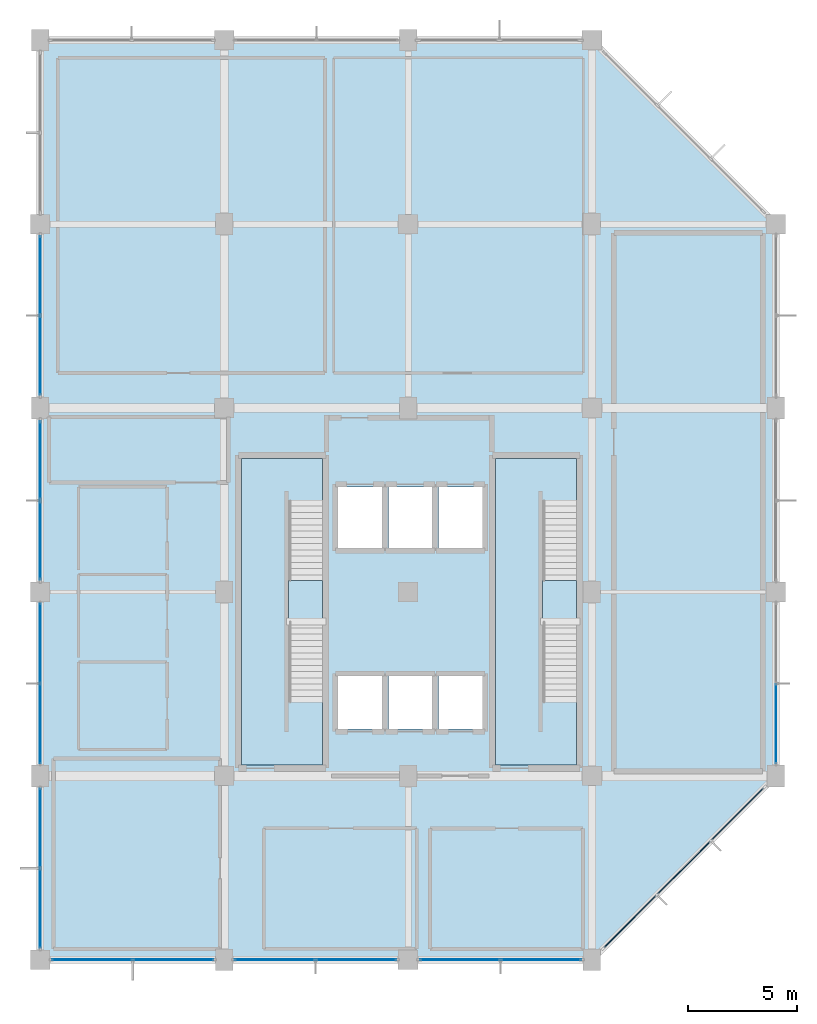
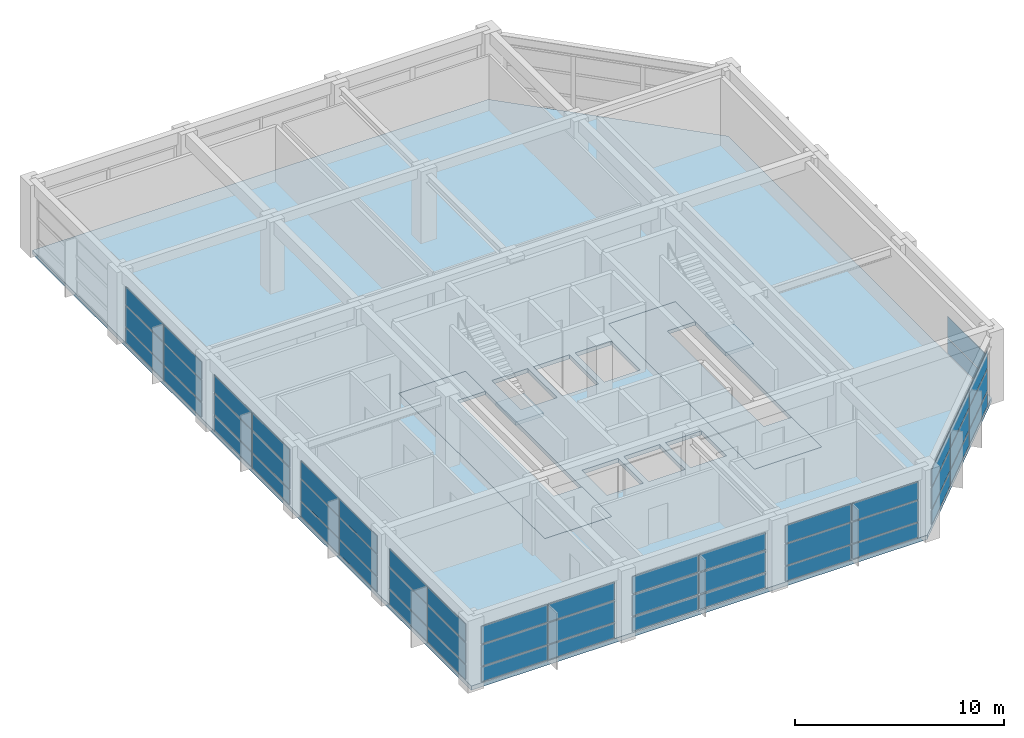
# One storey, part 8 of 12: 53 plates, 5 slabs, 11 elements without a shape of their own.
"""IFC4 building model written with IfcOpenShell, lengths in metres."""

from ifc_helpers import new_model, si_unit, direction, frame, origin, origin_2d, place, context, subcontext, project, spatial, polyline, rectangle, outline, extrude, material, layer, layer_set, type_object, element, aggregate, save


model = new_model("IFC4")

# Units and contexts
model_context = context("Model", 3, precision=1e-05, world=origin(), true_north=direction((0.0, 1.0)))
body_context = subcontext(model_context, "Body", "Model", "MODEL_VIEW")
ifc_project = project(units=[si_unit("LENGTHUNIT", "METRE"), si_unit("AREAUNIT", "SQUARE_METRE"), si_unit("VOLUMEUNIT", "CUBIC_METRE"), si_unit("PLANEANGLEUNIT", "RADIAN"), si_unit("MASSUNIT", "GRAM", prefix="KILO")], contexts=[model_context])

# Site, building, storey
site_placement = place(None, origin())
site = spatial("IfcSite", under=ifc_project, at=site_placement, CompositionType="ELEMENT")
building_placement = place(site_placement, origin())
building = spatial("IfcBuilding", under=site, at=building_placement, Name="Xuanlan Plaza Opera House", CompositionType="ELEMENT")
storey_placement = place(building_placement, frame((0.0, 0.0, 61.5)))
storey = spatial("IfcBuildingStorey", under=building, at=storey_placement, Name="L14", CompositionType="ELEMENT", Elevation=61.5)

# Curtain wall, plates
ifc_material_1 = material(Name="Anodised Aluminium 6063-T6 and Low-E Glass", Category="aluminium")
curtain_wall_type_1 = type_object("IfcCurtainWallType", Name="ENV-CW-CW-01", PredefinedType="USERDEFINED", material=ifc_material_1)
curtain_wall_1_placement = place(storey_placement, origin())
curtain_wall_1 = element("IfcCurtainWall", 1, at=curtain_wall_1_placement, inside=storey, type_object=curtain_wall_type_1, Name="Unitised Curtain Wall L14-005", ObjectType="UNITISED CURTAIN WALL", PredefinedType="USERDEFINED")
ifc_material_2 = material(Name="Laminated Acoustic Double Glazing", Category="glass")
ifc_layer_1 = layer(ifc_material_2, 0.028076171875)
ifc_layer_set_1 = layer_set([ifc_layer_1], Name="Laminated Acoustic Double Glazing")
plate_type_1 = type_object("IfcPlateType", Name="ENV-CWP-01", PredefinedType="CURTAIN_PANEL", material=ifc_layer_set_1)
plate_1_placement = place(storey_placement, frame((159.60009765625, 52.788818359375, 0.06494140625), z_axis=(0.0, 0.0, 1.0), x_axis=(0.0, 1.0, 0.0)))
plate_1 = element("IfcPlate", 2, at=plate_1_placement, type_object=plate_type_1, Name="CW-01 panel 1.1", PredefinedType="CURTAIN_PANEL", context=body_context, shape_type="SweptSolid", body=[
    extrude(rectangle(XDim=3.607421875, YDim=0.028076171875, at=origin_2d()), origin(), (0.0, 0.0, 1.0), 0.8525390625),
])
plate_2_placement = place(storey_placement, frame((159.60009765625, 52.788818359375, 0.982421875), z_axis=(0.0, 0.0, 1.0), x_axis=(0.0, 1.0, 0.0)))
plate_2 = element("IfcPlate", 3, at=plate_2_placement, type_object=plate_type_1, Name="CW-01 panel 1.2", PredefinedType="CURTAIN_PANEL", context=body_context, shape_type="SweptSolid", body=[
    extrude(rectangle(XDim=3.607421875, YDim=0.028076171875, at=origin_2d()), origin(), (0.0, 0.0, 1.0), 1.235107421875),
])
aggregate(curtain_wall_1, [plate_1, plate_2])

curtain_wall_type_2 = type_object("IfcCurtainWallType", Name="ENV-CW-CW-03", PredefinedType="USERDEFINED", material=ifc_material_1)
curtain_wall_2_placement = place(storey_placement, origin())
curtain_wall_2 = element("IfcCurtainWall", 4, at=curtain_wall_2_placement, inside=storey, type_object=curtain_wall_type_2, Name="Unitised Curtain Wall L14-015", ObjectType="UNITISED CURTAIN WALL", PredefinedType="USERDEFINED")
plate_3_placement = place(storey_placement, frame((126.0, 56.461181640625, 0.06494140625), z_axis=(0.0, 0.0, 1.0), x_axis=(0.0, -1.0, 0.0)))
plate_3 = element("IfcPlate", 5, at=plate_3_placement, type_object=plate_type_1, Name="CW-03 panel 1.1", PredefinedType="CURTAIN_PANEL", context=body_context, shape_type="SweptSolid", body=[
    extrude(rectangle(XDim=3.607421875, YDim=0.028076171875, at=origin_2d()), origin(), (0.0, 0.0, 1.0), 0.8525390625),
])
plate_4_placement = place(storey_placement, frame((126.0, 56.461181640625, 0.982421875), z_axis=(0.0, 0.0, 1.0), x_axis=(0.0, -1.0, 0.0)))
plate_4 = element("IfcPlate", 6, at=plate_4_placement, type_object=plate_type_1, Name="CW-03 panel 1.2", PredefinedType="CURTAIN_PANEL", context=body_context, shape_type="SweptSolid", body=[
    extrude(rectangle(XDim=3.607421875, YDim=0.028076171875, at=origin_2d()), origin(), (0.0, 0.0, 1.0), 1.235107421875),
])
plate_5_placement = place(storey_placement, frame((126.0, 56.461181640625, 2.28271484375), z_axis=(0.0, 0.0, 1.0), x_axis=(0.0, -1.0, 0.0)))
plate_5 = element("IfcPlate", 7, at=plate_5_placement, type_object=plate_type_1, Name="CW-03 panel 1.3", PredefinedType="CURTAIN_PANEL", context=body_context, shape_type="SweptSolid", body=[
    extrude(rectangle(XDim=3.607421875, YDim=0.028076171875, at=origin_2d()), origin(), (0.0, 0.0, 1.0), 1.032470703125),
])
plate_6_placement = place(storey_placement, frame((126.0, 52.788818359375, 0.06494140625), z_axis=(0.0, 0.0, 1.0), x_axis=(0.0, -1.0, 0.0)))
plate_6 = element("IfcPlate", 8, at=plate_6_placement, type_object=plate_type_1, Name="CW-03 panel 2.1", PredefinedType="CURTAIN_PANEL", context=body_context, shape_type="SweptSolid", body=[
    extrude(rectangle(XDim=3.607421875, YDim=0.028076171875, at=origin_2d()), origin(), (0.0, 0.0, 1.0), 0.8525390625),
])
plate_7_placement = place(storey_placement, frame((126.0, 52.788818359375, 0.982421875), z_axis=(0.0, 0.0, 1.0), x_axis=(0.0, -1.0, 0.0)))
plate_7 = element("IfcPlate", 9, at=plate_7_placement, type_object=plate_type_1, Name="CW-03 panel 2.2", PredefinedType="CURTAIN_PANEL", context=body_context, shape_type="SweptSolid", body=[
    extrude(rectangle(XDim=3.607421875, YDim=0.028076171875, at=origin_2d()), origin(), (0.0, 0.0, 1.0), 1.235107421875),
])
plate_8_placement = place(storey_placement, frame((126.0, 52.788818359375, 2.28271484375), z_axis=(0.0, 0.0, 1.0), x_axis=(0.0, -1.0, 0.0)))
plate_8 = element("IfcPlate", 10, at=plate_8_placement, type_object=plate_type_1, Name="CW-03 panel 2.3", PredefinedType="CURTAIN_PANEL", context=body_context, shape_type="SweptSolid", body=[
    extrude(rectangle(XDim=3.607421875, YDim=0.028076171875, at=origin_2d()), origin(), (0.0, 0.0, 1.0), 1.032470703125),
])
aggregate(curtain_wall_2, [plate_3, plate_4, plate_5, plate_6, plate_7, plate_8])

curtain_wall_type_3 = type_object("IfcCurtainWallType", Name="ENV-CW-CW-02", PredefinedType="USERDEFINED", material=ifc_material_1)
curtain_wall_3_placement = place(storey_placement, origin())
curtain_wall_3 = element("IfcCurtainWall", 11, at=curtain_wall_3_placement, inside=storey, type_object=curtain_wall_type_3, Name="Unitised Curtain Wall L14-002", ObjectType="UNITISED CURTAIN WALL", PredefinedType="USERDEFINED")
ifc_layer_2 = layer(ifc_material_2, 0.031982421875)
ifc_layer_set_2 = layer_set([ifc_layer_2], Name="Laminated Acoustic Double Glazing")
plate_type_2 = type_object("IfcPlateType", Name="ENV-CWP-02", PredefinedType="CURTAIN_PANEL", material=ifc_layer_set_2)
plate_9_placement = place(storey_placement, frame((136.71630859375, 42.0, 0.090087890625), z_axis=(0.0, 0.0, 1.0), x_axis=(1.0, 0.0, 0.0)))
plate_9 = element("IfcPlate", 12, at=plate_9_placement, type_object=plate_type_2, Name="CW-02 panel 1.1", PredefinedType="CURTAIN_PANEL", context=body_context, shape_type="SweptSolid", body=[
    extrude(rectangle(XDim=3.642578125, YDim=0.031982421875, at=origin_2d()), origin(), (0.0, 0.0, 1.0), 0.81494140625),
])
plate_10_placement = place(storey_placement, frame((136.71630859375, 42.0, 0.9951171875), z_axis=(0.0, 0.0, 1.0), x_axis=(1.0, 0.0, 0.0)))
plate_10 = element("IfcPlate", 13, at=plate_10_placement, type_object=plate_type_2, Name="CW-02 panel 1.2", PredefinedType="CURTAIN_PANEL", context=body_context, shape_type="SweptSolid", body=[
    extrude(rectangle(XDim=3.642578125, YDim=0.031982421875, at=origin_2d()), origin(), (0.0, 0.0, 1.0), 1.2099609375),
])
plate_11_placement = place(storey_placement, frame((136.71630859375, 42.0, 2.294921875), z_axis=(0.0, 0.0, 1.0), x_axis=(1.0, 0.0, 0.0)))
plate_11 = element("IfcPlate", 14, at=plate_11_placement, type_object=plate_type_2, Name="CW-02 panel 1.3", PredefinedType="CURTAIN_PANEL", context=body_context, shape_type="SweptSolid", body=[
    extrude(rectangle(XDim=3.642578125, YDim=0.031982421875, at=origin_2d()), origin(), (0.0, 0.0, 1.0), 0.9951171875),
])
plate_12_placement = place(storey_placement, frame((140.433837890625, 42.0, 0.090087890625), z_axis=(0.0, 0.0, 1.0), x_axis=(1.0, 0.0, 0.0)))
plate_12 = element("IfcPlate", 15, at=plate_12_placement, type_object=plate_type_2, Name="CW-02 panel 2.1", PredefinedType="CURTAIN_PANEL", context=body_context, shape_type="SweptSolid", body=[
    extrude(rectangle(XDim=3.642578125, YDim=0.031982421875, at=origin_2d()), origin(), (0.0, 0.0, 1.0), 0.81494140625),
])
plate_13_placement = place(storey_placement, frame((140.433837890625, 42.0, 0.9951171875), z_axis=(0.0, 0.0, 1.0), x_axis=(1.0, 0.0, 0.0)))
plate_13 = element("IfcPlate", 16, at=plate_13_placement, type_object=plate_type_2, Name="CW-02 panel 2.2", PredefinedType="CURTAIN_PANEL", context=body_context, shape_type="SweptSolid", body=[
    extrude(rectangle(XDim=3.642578125, YDim=0.031982421875, at=origin_2d()), origin(), (0.0, 0.0, 1.0), 1.2099609375),
])
plate_14_placement = place(storey_placement, frame((140.433837890625, 42.0, 2.294921875), z_axis=(0.0, 0.0, 1.0), x_axis=(1.0, 0.0, 0.0)))
plate_14 = element("IfcPlate", 17, at=plate_14_placement, type_object=plate_type_2, Name="CW-02 panel 2.3", PredefinedType="CURTAIN_PANEL", context=body_context, shape_type="SweptSolid", body=[
    extrude(rectangle(XDim=3.642578125, YDim=0.031982421875, at=origin_2d()), origin(), (0.0, 0.0, 1.0), 0.9951171875),
])
aggregate(curtain_wall_3, [plate_9, plate_10, plate_11, plate_12, plate_13, plate_14])

curtain_wall_type_4 = type_object("IfcCurtainWallType", Name="ENV-CW-CW-04", PredefinedType="USERDEFINED", material=ifc_material_1)
curtain_wall_4_placement = place(storey_placement, origin())
curtain_wall_4 = element("IfcCurtainWall", 18, at=curtain_wall_4_placement, inside=storey, type_object=curtain_wall_type_4, Name="Unitised Curtain Wall L14-004", ObjectType="UNITISED CURTAIN WALL", PredefinedType="USERDEFINED")
ifc_layer_3 = layer(ifc_material_2, 0.035888671875)
ifc_layer_set_3 = layer_set([ifc_layer_3], Name="Laminated Acoustic Double Glazing")
plate_type_3 = type_object("IfcPlateType", Name="ENV-CWP-03", PredefinedType="CURTAIN_PANEL", material=ifc_layer_set_3)
plate_15_placement = place(storey_placement, frame((152.948486328125, 43.74853515625, 0.080078125), z_axis=(0.0, 0.0, 1.0), x_axis=(0.707106781187, 0.707106781187, 0.0)))
plate_15 = element("IfcPlate", 19, at=plate_15_placement, type_object=plate_type_3, Name="CW-04 panel 1.1", PredefinedType="CURTAIN_PANEL", context=body_context, shape_type="SweptSolid", body=[
    extrude(rectangle(XDim=3.354248046875, YDim=0.035888671875, at=origin_2d()), origin(), (0.0, 0.0, 1.0), 0.830078125),
])
plate_16_placement = place(storey_placement, frame((152.948486328125, 43.74853515625, 0.990234375), z_axis=(0.0, 0.0, 1.0), x_axis=(0.707106781187, 0.707106781187, 0.0)))
plate_16 = element("IfcPlate", 20, at=plate_16_placement, type_object=plate_type_3, Name="CW-04 panel 1.2", PredefinedType="CURTAIN_PANEL", context=body_context, shape_type="SweptSolid", body=[
    extrude(rectangle(XDim=3.354248046875, YDim=0.035888671875, at=origin_2d()), origin(), (0.0, 0.0, 1.0), 1.219970703125),
])
plate_17_placement = place(storey_placement, frame((152.948486328125, 43.74853515625, 2.2900390625), z_axis=(0.0, 0.0, 1.0), x_axis=(0.707106781187, 0.707106781187, 0.0)))
plate_17 = element("IfcPlate", 21, at=plate_17_placement, type_object=plate_type_3, Name="CW-04 panel 1.3", PredefinedType="CURTAIN_PANEL", context=body_context, shape_type="SweptSolid", body=[
    extrude(rectangle(XDim=3.354248046875, YDim=0.035888671875, at=origin_2d()), origin(), (0.0, 0.0, 1.0), 1.010009765625),
])
plate_18_placement = place(storey_placement, frame((155.39990234375, 46.199951171875, 0.080078125), z_axis=(0.0, 0.0, 1.0), x_axis=(0.707106781187, 0.707106781187, 0.0)))
plate_18 = element("IfcPlate", 22, at=plate_18_placement, type_object=plate_type_3, Name="CW-04 panel 2.1", PredefinedType="CURTAIN_PANEL", context=body_context, shape_type="SweptSolid", body=[
    extrude(rectangle(XDim=3.3994140625, YDim=0.035888671875, at=origin_2d()), origin(), (0.0, 0.0, 1.0), 0.830078125),
])
plate_19_placement = place(storey_placement, frame((155.39990234375, 46.199951171875, 0.990234375), z_axis=(0.0, 0.0, 1.0), x_axis=(0.707106781187, 0.707106781187, 0.0)))
plate_19 = element("IfcPlate", 23, at=plate_19_placement, type_object=plate_type_3, Name="CW-04 panel 2.2", PredefinedType="CURTAIN_PANEL", context=body_context, shape_type="SweptSolid", body=[
    extrude(rectangle(XDim=3.3994140625, YDim=0.035888671875, at=origin_2d()), origin(), (0.0, 0.0, 1.0), 1.219970703125),
])
plate_20_placement = place(storey_placement, frame((155.39990234375, 46.199951171875, 2.2900390625), z_axis=(0.0, 0.0, 1.0), x_axis=(0.707106781187, 0.707106781187, 0.0)))
plate_20 = element("IfcPlate", 24, at=plate_20_placement, type_object=plate_type_3, Name="CW-04 panel 2.3", PredefinedType="CURTAIN_PANEL", context=body_context, shape_type="SweptSolid", body=[
    extrude(rectangle(XDim=3.3994140625, YDim=0.035888671875, at=origin_2d()), origin(), (0.0, 0.0, 1.0), 1.010009765625),
])
plate_21_placement = place(storey_placement, frame((157.851318359375, 48.6513671875, 0.080078125), z_axis=(0.0, 0.0, 1.0), x_axis=(0.707106781187, 0.707106781187, 0.0)))
plate_21 = element("IfcPlate", 25, at=plate_21_placement, type_object=plate_type_3, Name="CW-04 panel 3.1", PredefinedType="CURTAIN_PANEL", context=body_context, shape_type="SweptSolid", body=[
    extrude(rectangle(XDim=3.354248046875, YDim=0.035888671875, at=origin_2d()), origin(), (0.0, 0.0, 1.0), 0.830078125),
])
plate_22_placement = place(storey_placement, frame((157.851318359375, 48.6513671875, 0.990234375), z_axis=(0.0, 0.0, 1.0), x_axis=(0.707106781187, 0.707106781187, 0.0)))
plate_22 = element("IfcPlate", 26, at=plate_22_placement, type_object=plate_type_3, Name="CW-04 panel 3.2", PredefinedType="CURTAIN_PANEL", context=body_context, shape_type="SweptSolid", body=[
    extrude(rectangle(XDim=3.354248046875, YDim=0.035888671875, at=origin_2d()), origin(), (0.0, 0.0, 1.0), 1.219970703125),
])
plate_23_placement = place(storey_placement, frame((157.851318359375, 48.6513671875, 2.2900390625), z_axis=(0.0, 0.0, 1.0), x_axis=(0.707106781187, 0.707106781187, 0.0)))
plate_23 = element("IfcPlate", 27, at=plate_23_placement, type_object=plate_type_3, Name="CW-04 panel 3.3", PredefinedType="CURTAIN_PANEL", context=body_context, shape_type="SweptSolid", body=[
    extrude(rectangle(XDim=3.354248046875, YDim=0.035888671875, at=origin_2d()), origin(), (0.0, 0.0, 1.0), 1.010009765625),
])
aggregate(curtain_wall_4, [plate_15, plate_16, plate_17, plate_18, plate_19, plate_20, plate_21, plate_22, plate_23])

curtain_wall_5_placement = place(storey_placement, origin())
curtain_wall_5 = element("IfcCurtainWall", 28, at=curtain_wall_5_placement, inside=storey, type_object=curtain_wall_type_3, Name="Unitised Curtain Wall L14-014", ObjectType="UNITISED CURTAIN WALL", PredefinedType="USERDEFINED")
plate_24_placement = place(storey_placement, frame((126.0, 64.804931640625, 0.080078125), z_axis=(0.0, 0.0, 1.0), x_axis=(0.0, -1.0, 0.0)))
plate_24 = element("IfcPlate", 29, at=plate_24_placement, type_object=plate_type_3, Name="CW-02 panel 1.1", PredefinedType="CURTAIN_PANEL", context=body_context, shape_type="SweptSolid", body=[
    extrude(rectangle(XDim=3.570068359375, YDim=0.035888671875, at=origin_2d()), origin(), (0.0, 0.0, 1.0), 0.830078125),
])
plate_25_placement = place(storey_placement, frame((126.0, 64.804931640625, 0.990234375), z_axis=(0.0, 0.0, 1.0), x_axis=(0.0, -1.0, 0.0)))
plate_25 = element("IfcPlate", 30, at=plate_25_placement, type_object=plate_type_3, Name="CW-02 panel 1.2", PredefinedType="CURTAIN_PANEL", context=body_context, shape_type="SweptSolid", body=[
    extrude(rectangle(XDim=3.570068359375, YDim=0.035888671875, at=origin_2d()), origin(), (0.0, 0.0, 1.0), 1.219970703125),
])
plate_26_placement = place(storey_placement, frame((126.0, 64.804931640625, 2.2900390625), z_axis=(0.0, 0.0, 1.0), x_axis=(0.0, -1.0, 0.0)))
plate_26 = element("IfcPlate", 31, at=plate_26_placement, type_object=plate_type_3, Name="CW-02 panel 1.3", PredefinedType="CURTAIN_PANEL", context=body_context, shape_type="SweptSolid", body=[
    extrude(rectangle(XDim=3.570068359375, YDim=0.035888671875, at=origin_2d()), origin(), (0.0, 0.0, 1.0), 1.010009765625),
])
plate_27_placement = place(storey_placement, frame((126.0, 61.14501953125, 0.080078125), z_axis=(0.0, 0.0, 1.0), x_axis=(0.0, -1.0, 0.0)))
plate_27 = element("IfcPlate", 32, at=plate_27_placement, type_object=plate_type_3, Name="CW-02 panel 2.1", PredefinedType="CURTAIN_PANEL", context=body_context, shape_type="SweptSolid", body=[
    extrude(rectangle(XDim=3.570068359375, YDim=0.035888671875, at=origin_2d()), origin(), (0.0, 0.0, 1.0), 0.830078125),
])
plate_28_placement = place(storey_placement, frame((126.0, 61.14501953125, 0.990234375), z_axis=(0.0, 0.0, 1.0), x_axis=(0.0, -1.0, 0.0)))
plate_28 = element("IfcPlate", 33, at=plate_28_placement, type_object=plate_type_3, Name="CW-02 panel 2.2", PredefinedType="CURTAIN_PANEL", context=body_context, shape_type="SweptSolid", body=[
    extrude(rectangle(XDim=3.570068359375, YDim=0.035888671875, at=origin_2d()), origin(), (0.0, 0.0, 1.0), 1.219970703125),
])
plate_29_placement = place(storey_placement, frame((126.0, 61.14501953125, 2.2900390625), z_axis=(0.0, 0.0, 1.0), x_axis=(0.0, -1.0, 0.0)))
plate_29 = element("IfcPlate", 34, at=plate_29_placement, type_object=plate_type_3, Name="CW-02 panel 2.3", PredefinedType="CURTAIN_PANEL", context=body_context, shape_type="SweptSolid", body=[
    extrude(rectangle(XDim=3.570068359375, YDim=0.035888671875, at=origin_2d()), origin(), (0.0, 0.0, 1.0), 1.010009765625),
])
aggregate(curtain_wall_5, [plate_24, plate_25, plate_26, plate_27, plate_28, plate_29])

curtain_wall_6_placement = place(storey_placement, origin())
curtain_wall_6 = element("IfcCurtainWall", 35, at=curtain_wall_6_placement, inside=storey, type_object=curtain_wall_type_1, Name="Unitised Curtain Wall L14-001", ObjectType="UNITISED CURTAIN WALL", PredefinedType="USERDEFINED")
ifc_layer_4 = layer(ifc_material_2, 0.0400390625)
ifc_layer_set_4 = layer_set([ifc_layer_4], Name="Laminated Acoustic Double Glazing")
plate_type_4 = type_object("IfcPlateType", Name="ENV-CWP-04", PredefinedType="CURTAIN_PANEL", material=ifc_layer_set_4)
plate_30_placement = place(storey_placement, frame((128.364990234375, 42.0, 0.074951171875), z_axis=(0.0, 0.0, 1.0), x_axis=(1.0, 0.0, 0.0)))
plate_30 = element("IfcPlate", 36, at=plate_30_placement, type_object=plate_type_4, Name="CW-01 panel 1.1", PredefinedType="CURTAIN_PANEL", context=body_context, shape_type="SweptSolid", body=[
    extrude(rectangle(XDim=3.64990234375, YDim=0.0400390625, at=origin_2d()), origin(), (0.0, 0.0, 1.0), 0.83740234375),
])
plate_31_placement = place(storey_placement, frame((128.364990234375, 42.0, 0.987548828125), z_axis=(0.0, 0.0, 1.0), x_axis=(1.0, 0.0, 0.0)))
plate_31 = element("IfcPlate", 37, at=plate_31_placement, type_object=plate_type_4, Name="CW-01 panel 1.2", PredefinedType="CURTAIN_PANEL", context=body_context, shape_type="SweptSolid", body=[
    extrude(rectangle(XDim=3.64990234375, YDim=0.0400390625, at=origin_2d()), origin(), (0.0, 0.0, 1.0), 1.22509765625),
])
plate_32_placement = place(storey_placement, frame((128.364990234375, 42.0, 2.287353515625), z_axis=(0.0, 0.0, 1.0), x_axis=(1.0, 0.0, 0.0)))
plate_32 = element("IfcPlate", 38, at=plate_32_placement, type_object=plate_type_4, Name="CW-01 panel 1.3", PredefinedType="CURTAIN_PANEL", context=body_context, shape_type="SweptSolid", body=[
    extrude(rectangle(XDim=3.64990234375, YDim=0.0400390625, at=origin_2d()), origin(), (0.0, 0.0, 1.0), 1.017578125),
])
plate_33_placement = place(storey_placement, frame((132.0849609375, 42.0, 0.074951171875), z_axis=(0.0, 0.0, 1.0), x_axis=(1.0, 0.0, 0.0)))
plate_33 = element("IfcPlate", 39, at=plate_33_placement, type_object=plate_type_4, Name="CW-01 panel 2.1", PredefinedType="CURTAIN_PANEL", context=body_context, shape_type="SweptSolid", body=[
    extrude(rectangle(XDim=3.64990234375, YDim=0.0400390625, at=origin_2d()), origin(), (0.0, 0.0, 1.0), 0.83740234375),
])
plate_34_placement = place(storey_placement, frame((132.0849609375, 42.0, 0.987548828125), z_axis=(0.0, 0.0, 1.0), x_axis=(1.0, 0.0, 0.0)))
plate_34 = element("IfcPlate", 40, at=plate_34_placement, type_object=plate_type_4, Name="CW-01 panel 2.2", PredefinedType="CURTAIN_PANEL", context=body_context, shape_type="SweptSolid", body=[
    extrude(rectangle(XDim=3.64990234375, YDim=0.0400390625, at=origin_2d()), origin(), (0.0, 0.0, 1.0), 1.22509765625),
])
plate_35_placement = place(storey_placement, frame((132.0849609375, 42.0, 2.287353515625), z_axis=(0.0, 0.0, 1.0), x_axis=(1.0, 0.0, 0.0)))
plate_35 = element("IfcPlate", 41, at=plate_35_placement, type_object=plate_type_4, Name="CW-01 panel 2.3", PredefinedType="CURTAIN_PANEL", context=body_context, shape_type="SweptSolid", body=[
    extrude(rectangle(XDim=3.64990234375, YDim=0.0400390625, at=origin_2d()), origin(), (0.0, 0.0, 1.0), 1.017578125),
])
aggregate(curtain_wall_6, [plate_30, plate_31, plate_32, plate_33, plate_34, plate_35])

curtain_wall_7_placement = place(storey_placement, origin())
curtain_wall_7 = element("IfcCurtainWall", 42, at=curtain_wall_7_placement, inside=storey, type_object=curtain_wall_type_4, Name="Unitised Curtain Wall L14-016", ObjectType="UNITISED CURTAIN WALL", PredefinedType="USERDEFINED")
plate_36_placement = place(storey_placement, frame((126.0, 48.010009765625, 0.074951171875), z_axis=(0.0, 0.0, 1.0), x_axis=(0.0, -1.0, 0.0)))
plate_36 = element("IfcPlate", 43, at=plate_36_placement, type_object=plate_type_4, Name="CW-04 panel 1.1", PredefinedType="CURTAIN_PANEL", context=body_context, shape_type="SweptSolid", body=[
    extrude(rectangle(XDim=3.60009765625, YDim=0.0400390625, at=origin_2d()), origin(), (0.0, 0.0, 1.0), 0.83740234375),
])
plate_37_placement = place(storey_placement, frame((126.0, 48.010009765625, 0.987548828125), z_axis=(0.0, 0.0, 1.0), x_axis=(0.0, -1.0, 0.0)))
plate_37 = element("IfcPlate", 44, at=plate_37_placement, type_object=plate_type_4, Name="CW-04 panel 1.2", PredefinedType="CURTAIN_PANEL", context=body_context, shape_type="SweptSolid", body=[
    extrude(rectangle(XDim=3.60009765625, YDim=0.0400390625, at=origin_2d()), origin(), (0.0, 0.0, 1.0), 1.22509765625),
])
plate_38_placement = place(storey_placement, frame((126.0, 48.010009765625, 2.287353515625), z_axis=(0.0, 0.0, 1.0), x_axis=(0.0, -1.0, 0.0)))
plate_38 = element("IfcPlate", 45, at=plate_38_placement, type_object=plate_type_4, Name="CW-04 panel 1.3", PredefinedType="CURTAIN_PANEL", context=body_context, shape_type="SweptSolid", body=[
    extrude(rectangle(XDim=3.60009765625, YDim=0.0400390625, at=origin_2d()), origin(), (0.0, 0.0, 1.0), 1.017578125),
])
plate_39_placement = place(storey_placement, frame((126.0, 44.340087890625, 0.074951171875), z_axis=(0.0, 0.0, 1.0), x_axis=(0.0, -1.0, 0.0)))
plate_39 = element("IfcPlate", 46, at=plate_39_placement, type_object=plate_type_4, Name="CW-04 panel 2.1", PredefinedType="CURTAIN_PANEL", context=body_context, shape_type="SweptSolid", body=[
    extrude(rectangle(XDim=3.60009765625, YDim=0.0400390625, at=origin_2d()), origin(), (0.0, 0.0, 1.0), 0.83740234375),
])
plate_40_placement = place(storey_placement, frame((126.0, 44.340087890625, 0.987548828125), z_axis=(0.0, 0.0, 1.0), x_axis=(0.0, -1.0, 0.0)))
plate_40 = element("IfcPlate", 47, at=plate_40_placement, type_object=plate_type_4, Name="CW-04 panel 2.2", PredefinedType="CURTAIN_PANEL", context=body_context, shape_type="SweptSolid", body=[
    extrude(rectangle(XDim=3.60009765625, YDim=0.0400390625, at=origin_2d()), origin(), (0.0, 0.0, 1.0), 1.22509765625),
])
plate_41_placement = place(storey_placement, frame((126.0, 44.340087890625, 2.287353515625), z_axis=(0.0, 0.0, 1.0), x_axis=(0.0, -1.0, 0.0)))
plate_41 = element("IfcPlate", 48, at=plate_41_placement, type_object=plate_type_4, Name="CW-04 panel 2.3", PredefinedType="CURTAIN_PANEL", context=body_context, shape_type="SweptSolid", body=[
    extrude(rectangle(XDim=3.60009765625, YDim=0.0400390625, at=origin_2d()), origin(), (0.0, 0.0, 1.0), 1.017578125),
])
aggregate(curtain_wall_7, [plate_36, plate_37, plate_38, plate_39, plate_40, plate_41])

curtain_wall_8_placement = place(storey_placement, origin())
curtain_wall_8 = element("IfcCurtainWall", 49, at=curtain_wall_8_placement, inside=storey, type_object=curtain_wall_type_2, Name="Unitised Curtain Wall L14-003", ObjectType="UNITISED CURTAIN WALL", PredefinedType="USERDEFINED")
ifc_layer_5 = layer(ifc_material_2, 0.0439453125)
ifc_layer_set_5 = layer_set([ifc_layer_5], Name="Laminated Acoustic Double Glazing")
plate_type_5 = type_object("IfcPlateType", Name="ENV-CWP-05", PredefinedType="CURTAIN_PANEL", material=ifc_layer_set_5)
plate_42_placement = place(storey_placement, frame((145.16748046875, 42.0, 0.06982421875), z_axis=(0.0, 0.0, 1.0), x_axis=(1.0, 0.0, 0.0)))
plate_42 = element("IfcPlate", 50, at=plate_42_placement, type_object=plate_type_5, Name="CW-03 panel 1.1", PredefinedType="CURTAIN_PANEL", context=body_context, shape_type="SweptSolid", body=[
    extrude(rectangle(XDim=3.635009765625, YDim=0.0439453125, at=origin_2d()), origin(), (0.0, 0.0, 1.0), 0.844970703125),
])
plate_43_placement = place(storey_placement, frame((145.16748046875, 42.0, 0.985107421875), z_axis=(0.0, 0.0, 1.0), x_axis=(1.0, 0.0, 0.0)))
plate_43 = element("IfcPlate", 51, at=plate_43_placement, type_object=plate_type_5, Name="CW-03 panel 1.2", PredefinedType="CURTAIN_PANEL", context=body_context, shape_type="SweptSolid", body=[
    extrude(rectangle(XDim=3.635009765625, YDim=0.0439453125, at=origin_2d()), origin(), (0.0, 0.0, 1.0), 1.22998046875),
])
plate_44_placement = place(storey_placement, frame((145.16748046875, 42.0, 2.28515625), z_axis=(0.0, 0.0, 1.0), x_axis=(1.0, 0.0, 0.0)))
plate_44 = element("IfcPlate", 52, at=plate_44_placement, type_object=plate_type_5, Name="CW-03 panel 1.3", PredefinedType="CURTAIN_PANEL", context=body_context, shape_type="SweptSolid", body=[
    extrude(rectangle(XDim=3.635009765625, YDim=0.0439453125, at=origin_2d()), origin(), (0.0, 0.0, 1.0), 1.02490234375),
])
plate_45_placement = place(storey_placement, frame((148.882568359375, 42.0, 0.06982421875), z_axis=(0.0, 0.0, 1.0), x_axis=(1.0, 0.0, 0.0)))
plate_45 = element("IfcPlate", 53, at=plate_45_placement, type_object=plate_type_5, Name="CW-03 panel 2.1", PredefinedType="CURTAIN_PANEL", context=body_context, shape_type="SweptSolid", body=[
    extrude(rectangle(XDim=3.635009765625, YDim=0.0439453125, at=origin_2d()), origin(), (0.0, 0.0, 1.0), 0.844970703125),
])
plate_46_placement = place(storey_placement, frame((148.882568359375, 42.0, 0.985107421875), z_axis=(0.0, 0.0, 1.0), x_axis=(1.0, 0.0, 0.0)))
plate_46 = element("IfcPlate", 54, at=plate_46_placement, type_object=plate_type_5, Name="CW-03 panel 2.2", PredefinedType="CURTAIN_PANEL", context=body_context, shape_type="SweptSolid", body=[
    extrude(rectangle(XDim=3.635009765625, YDim=0.0439453125, at=origin_2d()), origin(), (0.0, 0.0, 1.0), 1.22998046875),
])
plate_47_placement = place(storey_placement, frame((148.882568359375, 42.0, 2.28515625), z_axis=(0.0, 0.0, 1.0), x_axis=(1.0, 0.0, 0.0)))
plate_47 = element("IfcPlate", 55, at=plate_47_placement, type_object=plate_type_5, Name="CW-03 panel 2.3", PredefinedType="CURTAIN_PANEL", context=body_context, shape_type="SweptSolid", body=[
    extrude(rectangle(XDim=3.635009765625, YDim=0.0439453125, at=origin_2d()), origin(), (0.0, 0.0, 1.0), 1.02490234375),
])
aggregate(curtain_wall_8, [plate_42, plate_43, plate_44, plate_45, plate_46, plate_47])

curtain_wall_9_placement = place(storey_placement, origin())
curtain_wall_9 = element("IfcCurtainWall", 56, at=curtain_wall_9_placement, inside=storey, type_object=curtain_wall_type_1, Name="Unitised Curtain Wall L14-013", ObjectType="UNITISED CURTAIN WALL", PredefinedType="USERDEFINED")
plate_48_placement = place(storey_placement, frame((126.0, 73.257568359375, 0.06982421875), z_axis=(0.0, 0.0, 1.0), x_axis=(0.0, -1.0, 0.0)))
plate_48 = element("IfcPlate", 57, at=plate_48_placement, type_object=plate_type_5, Name="CW-01 panel 1.1", PredefinedType="CURTAIN_PANEL", context=body_context, shape_type="SweptSolid", body=[
    extrude(rectangle(XDim=3.5849609375, YDim=0.0439453125, at=origin_2d()), origin(), (0.0, 0.0, 1.0), 0.844970703125),
])
plate_49_placement = place(storey_placement, frame((126.0, 73.257568359375, 0.985107421875), z_axis=(0.0, 0.0, 1.0), x_axis=(0.0, -1.0, 0.0)))
plate_49 = element("IfcPlate", 58, at=plate_49_placement, type_object=plate_type_5, Name="CW-01 panel 1.2", PredefinedType="CURTAIN_PANEL", context=body_context, shape_type="SweptSolid", body=[
    extrude(rectangle(XDim=3.5849609375, YDim=0.0439453125, at=origin_2d()), origin(), (0.0, 0.0, 1.0), 1.22998046875),
])
plate_50_placement = place(storey_placement, frame((126.0, 73.257568359375, 2.28515625), z_axis=(0.0, 0.0, 1.0), x_axis=(0.0, -1.0, 0.0)))
plate_50 = element("IfcPlate", 59, at=plate_50_placement, type_object=plate_type_5, Name="CW-01 panel 1.3", PredefinedType="CURTAIN_PANEL", context=body_context, shape_type="SweptSolid", body=[
    extrude(rectangle(XDim=3.5849609375, YDim=0.0439453125, at=origin_2d()), origin(), (0.0, 0.0, 1.0), 1.02490234375),
])
plate_51_placement = place(storey_placement, frame((126.0, 69.592529296875, 0.06982421875), z_axis=(0.0, 0.0, 1.0), x_axis=(0.0, -1.0, 0.0)))
plate_51 = element("IfcPlate", 60, at=plate_51_placement, type_object=plate_type_5, Name="CW-01 panel 2.1", PredefinedType="CURTAIN_PANEL", context=body_context, shape_type="SweptSolid", body=[
    extrude(rectangle(XDim=3.5849609375, YDim=0.0439453125, at=origin_2d()), origin(), (0.0, 0.0, 1.0), 0.844970703125),
])
plate_52_placement = place(storey_placement, frame((126.0, 69.592529296875, 0.985107421875), z_axis=(0.0, 0.0, 1.0), x_axis=(0.0, -1.0, 0.0)))
plate_52 = element("IfcPlate", 61, at=plate_52_placement, type_object=plate_type_5, Name="CW-01 panel 2.2", PredefinedType="CURTAIN_PANEL", context=body_context, shape_type="SweptSolid", body=[
    extrude(rectangle(XDim=3.5849609375, YDim=0.0439453125, at=origin_2d()), origin(), (0.0, 0.0, 1.0), 1.22998046875),
])
plate_53_placement = place(storey_placement, frame((126.0, 69.592529296875, 2.28515625), z_axis=(0.0, 0.0, 1.0), x_axis=(0.0, -1.0, 0.0)))
plate_53 = element("IfcPlate", 62, at=plate_53_placement, type_object=plate_type_5, Name="CW-01 panel 2.3", PredefinedType="CURTAIN_PANEL", context=body_context, shape_type="SweptSolid", body=[
    extrude(rectangle(XDim=3.5849609375, YDim=0.0439453125, at=origin_2d()), origin(), (0.0, 0.0, 1.0), 1.02490234375),
])
aggregate(curtain_wall_9, [plate_48, plate_49, plate_50, plate_51, plate_52, plate_53])

# Stair, slabs
ifc_material_3 = material(Name="Concrete C40", Category="concrete")
stair_type = type_object("IfcStairType", Name="INT-ST-STR-T155", PredefinedType="STRAIGHT_RUN_STAIR", material=ifc_material_3)
stair_1_placement = place(storey_placement, origin())
stair_1 = element("IfcStair", 63, at=stair_1_placement, inside=storey, type_object=stair_type, Name="Protected Exit Stair ST-T1 L14", PredefinedType="STRAIGHT_RUN_STAIR")
ifc_layer_6 = layer(ifc_material_3, 0.199951171875)
ifc_layer_set_6 = layer_set([ifc_layer_6], Name="Concrete C40")
slab_type_1 = type_object("IfcSlabType", Name="INT-SLB-LND-20", PredefinedType="LANDING", material=ifc_layer_set_6)
slab_1_placement = place(storey_placement, frame((0.0, 0.0, 1.89990234375)))
slab_1 = element("IfcSlab", 64, at=slab_1_placement, type_object=slab_type_1, Name="ST-T1-L14 landing 1", PredefinedType="LANDING", context=body_context, shape_type="SweptSolid", body=[
    extrude(outline(polyline([(137.35009765625, 57.419921875), (138.89990234375, 57.419921875), (138.89990234375, 59.320068359375), (137.35009765625, 59.320068359375), (137.35009765625, 57.419921875)])), origin(), (0.0, 0.0, 1.0), 0.2001953125),
])
slab_2_placement = place(storey_placement, frame((0.0, 0.0, -0.199951171875)))
slab_2 = element("IfcSlab", 65, at=slab_2_placement, type_object=slab_type_1, Name="ST-T1-L14 landing 2", PredefinedType="LANDING", context=body_context, shape_type="SweptSolid", body=[
    extrude(outline(polyline([(135.199951171875, 50.89990234375), (138.89990234375, 50.89990234375), (138.89990234375, 53.764892578125), (137.35009765625, 53.764892578125), (137.35009765625, 62.97509765625), (138.89990234375, 62.97509765625), (138.89990234375, 64.89990234375), (135.199951171875, 64.89990234375), (135.199951171875, 50.89990234375)])), origin(), (0.0, 0.0, 1.0), 0.199951171875),
])
aggregate(stair_1, [slab_1, slab_2])

stair_2_placement = place(storey_placement, origin())
stair_2 = element("IfcStair", 66, at=stair_2_placement, inside=storey, type_object=stair_type, Name="Protected Exit Stair ST-T2 L14", PredefinedType="STRAIGHT_RUN_STAIR")
slab_3_placement = place(storey_placement, frame((0.0, 0.0, 1.89990234375)))
slab_3 = element("IfcSlab", 67, at=slab_3_placement, type_object=slab_type_1, Name="ST-T2-L14 landing 1", PredefinedType="LANDING", context=body_context, shape_type="SweptSolid", body=[
    extrude(outline(polyline([(148.949951171875, 57.419921875), (150.5, 57.419921875), (150.5, 59.320068359375), (148.949951171875, 59.320068359375), (148.949951171875, 57.419921875)])), origin(), (0.0, 0.0, 1.0), 0.2001953125),
])
slab_4_placement = place(storey_placement, frame((0.0, 0.0, -0.199951171875)))
slab_4 = element("IfcSlab", 68, at=slab_4_placement, type_object=slab_type_1, Name="ST-T2-L14 landing 2", PredefinedType="LANDING", context=body_context, shape_type="SweptSolid", body=[
    extrude(outline(polyline([(146.800048828125, 50.89990234375), (150.5, 50.89990234375), (150.5, 53.764892578125), (148.949951171875, 53.764892578125), (148.949951171875, 62.97509765625), (150.5, 62.97509765625), (150.5, 64.89990234375), (146.800048828125, 64.89990234375), (146.800048828125, 50.89990234375)])), origin(), (0.0, 0.0, 1.0), 0.199951171875),
])
aggregate(stair_2, [slab_3, slab_4])

# Slab
ifc_layer_7 = layer(ifc_material_3, 0.239990234375)
ifc_layer_set_7 = layer_set([ifc_layer_7], Name="Concrete C40")
slab_type_2 = type_object("IfcSlabType", Name="STR-SLB-SL-03", PredefinedType="FLOOR", material=ifc_layer_set_7)
slab_5_placement = place(storey_placement, frame((0.0, 0.0, -0.239990234375)))
element("IfcSlab", 69, at=slab_5_placement, inside=storey, type_object=slab_type_2, Name="Storey L14 Structural Floor Slab", PredefinedType="FLOOR", context=body_context, shape_type="SweptSolid", body=[
    extrude(outline(polyline([(126.0, 42.0), (151.199951171875, 42.0), (159.60009765625, 50.39990234375), (159.60009765625, 75.60009765625), (151.199951171875, 84.0), (126.0, 84.0), (126.0, 42.0)]), holes=[polyline([(135.199951171875, 50.89990234375), (138.89990234375, 50.89990234375), (138.89990234375, 64.89990234375), (135.199951171875, 64.89990234375), (135.199951171875, 50.89990234375)]), polyline([(146.800048828125, 50.89990234375), (150.5, 50.89990234375), (150.5, 64.89990234375), (146.800048828125, 64.89990234375), (146.800048828125, 50.89990234375)]), polyline([(139.60009765625, 60.800048828125), (141.60009765625, 60.800048828125), (141.60009765625, 63.60009765625), (139.60009765625, 63.60009765625), (139.60009765625, 60.800048828125)]), polyline([(141.89990234375, 60.800048828125), (143.89990234375, 60.800048828125), (143.89990234375, 63.60009765625), (141.89990234375, 63.60009765625), (141.89990234375, 60.800048828125)]), polyline([(144.199951171875, 60.800048828125), (146.199951171875, 60.800048828125), (146.199951171875, 63.60009765625), (144.199951171875, 63.60009765625), (144.199951171875, 60.800048828125)]), polyline([(139.60009765625, 52.550048828125), (141.60009765625, 52.550048828125), (141.60009765625, 54.949951171875), (139.60009765625, 54.949951171875), (139.60009765625, 52.550048828125)]), polyline([(141.89990234375, 52.550048828125), (143.89990234375, 52.550048828125), (143.89990234375, 54.949951171875), (141.89990234375, 54.949951171875), (141.89990234375, 52.550048828125)]), polyline([(144.199951171875, 52.550048828125), (146.199951171875, 52.550048828125), (146.199951171875, 54.949951171875), (144.199951171875, 54.949951171875), (144.199951171875, 52.550048828125)])]), origin(), (0.0, 0.0, 1.0), 0.239990234375),
])

save(model, "model.ifc")
